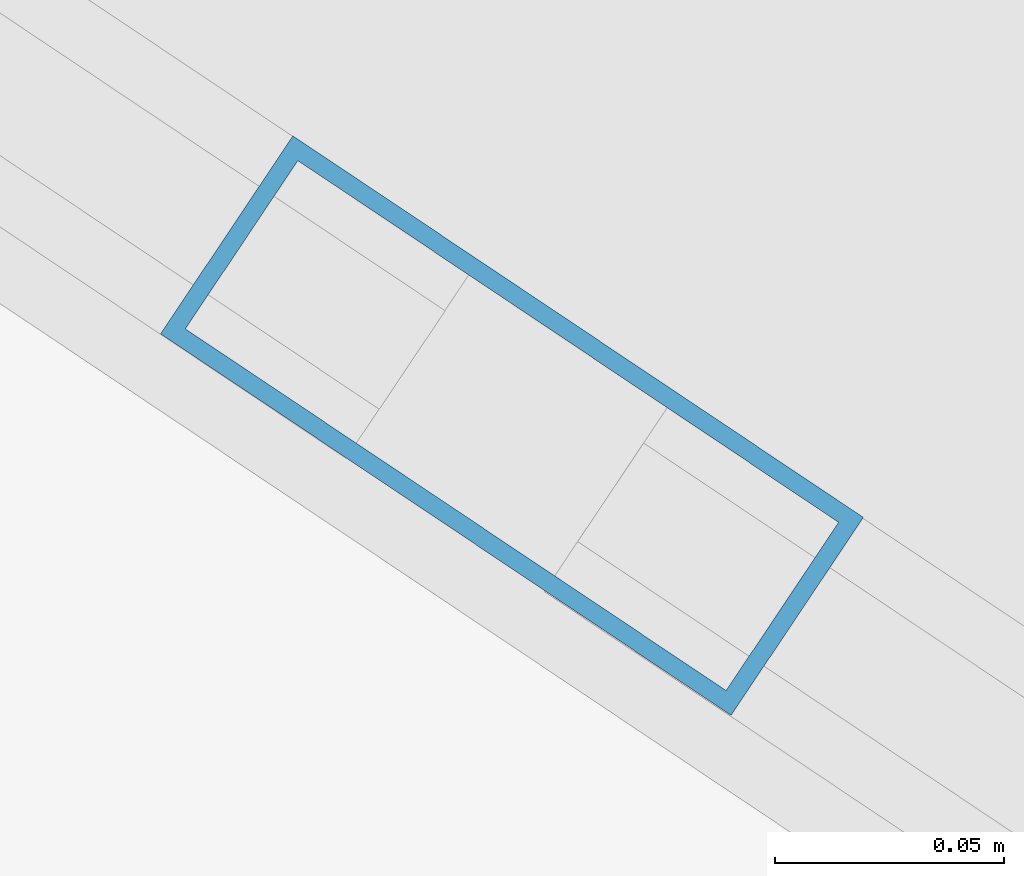
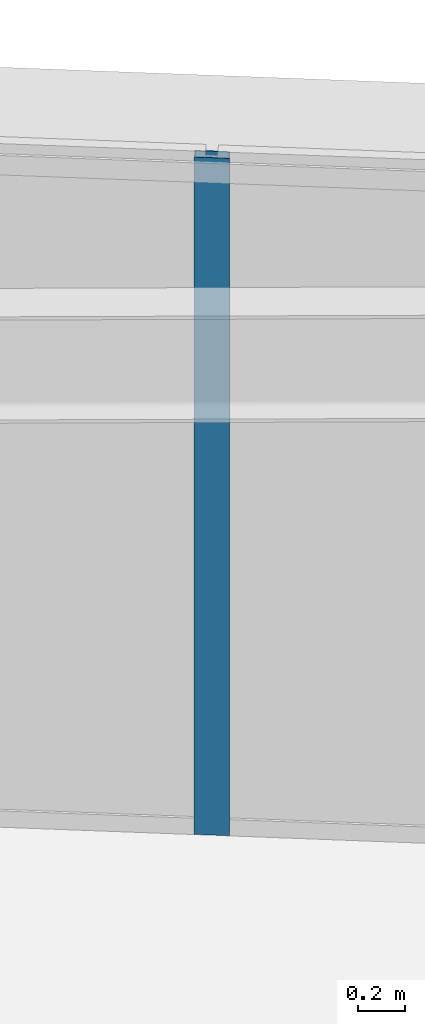
# One storey, part 4 of 22: 1 member, 1 element without a shape of its own.
"""IFC4 building model written with IfcOpenShell, lengths in metres."""

from ifc_helpers import new_model, si_unit, direction, frame, origin, origin_2d, place, context, subcontext, project, spatial, hollow_rectangle, extrude, source, transform, mapped, material, layer, layer_set, material_profile, profile_set, type_object, element, aggregate, save


model = new_model("IFC4")

# Units and contexts
model_context = context("Model", 3, precision=1e-05, world=origin(), true_north=direction((0.0, 1.0)))
body_context = subcontext(model_context, "Body", "Model", "MODEL_VIEW")
ifc_project = project(units=[si_unit("LENGTHUNIT", "METRE"), si_unit("AREAUNIT", "SQUARE_METRE"), si_unit("VOLUMEUNIT", "CUBIC_METRE"), si_unit("PLANEANGLEUNIT", "RADIAN"), si_unit("MASSUNIT", "GRAM", prefix="KILO")], contexts=[model_context])

# Site, building, storey
site_placement = place(None, origin())
site = spatial("IfcSite", under=ifc_project, at=site_placement, CompositionType="ELEMENT")
building_placement = place(site_placement, origin())
building = spatial("IfcBuilding", under=site, at=building_placement, Name="Linh Dai School and Residence Tower", CompositionType="ELEMENT")
storey_placement = place(building_placement, frame((0.0, 0.0, 130.949951171875)))
storey = spatial("IfcBuildingStorey", under=building, at=storey_placement, Name="L31", CompositionType="ELEMENT", Elevation=130.949951171875)

# Curtain wall, member
ifc_material_1 = material(Name="Aluminium Anodised Curtain Wall", Category="aluminium")
ifc_layer = layer(ifc_material_1, 0.14990234375)
ifc_layer_set = layer_set([ifc_layer], Name="Aluminium Anodised Curtain Wall")
curtain_wall_type = type_object("IfcCurtainWallType", Name="CW-SYS-4", PredefinedType="USERDEFINED", material=ifc_layer_set)
curtain_wall_placement = place(storey_placement, origin())
curtain_wall = element("IfcCurtainWall", 1, at=curtain_wall_placement, inside=storey, type_object=curtain_wall_type, Name="L31 CW4 Curtain Wall 06", ObjectType="RIBBON CURTAIN WALL", PredefinedType="USERDEFINED")
ifc_material_2 = material(Name="Aluminium Alloy 6063-T6", Category="aluminium")
ifc_material_profile = material_profile(ifc_material_2, hollow_rectangle(XDim=0.052001953125, YDim=0.14990234375, WallThickness=0.00390625, at=origin_2d()), Name="RHS 150x52x4")
ifc_profile_set = profile_set([ifc_material_profile], Name="Aluminium Alloy 6063-T6")
member_type = type_object("IfcMemberType", Name="CW-SYS-4-MUL", PredefinedType="MULLION", material=ifc_profile_set)
shared_shape = source(origin(), body_context, "Body", "SweptSolid", [
    extrude(hollow_rectangle(XDim=0.052001953125, YDim=0.14990234375, WallThickness=0.00390625, at=origin_2d()), origin(), (0.0, 0.0, 1.0), 3.5),
])
member_placement = place(storey_placement, frame((54.641845703125, 44.051513671875, 0.0), z_axis=(0.0, 0.0, 1.0), x_axis=(0.555913198527, 0.831240347736, 0.0)))
member = element("IfcMember", 2, at=member_placement, type_object=member_type, Name="CW4 mullion 2", PredefinedType="MULLION", context=body_context, shape_type="MappedRepresentation", body=[
    mapped(shared_shape, transform((0.0, 0.0, 0.0), x_axis=(1.0, 0.0, 0.0), y_axis=(0.0, 1.0, 0.0), z_axis=(0.0, 0.0, 1.0), scale=1.0)),
])
aggregate(curtain_wall, [member])

save(model, "model.ifc")
